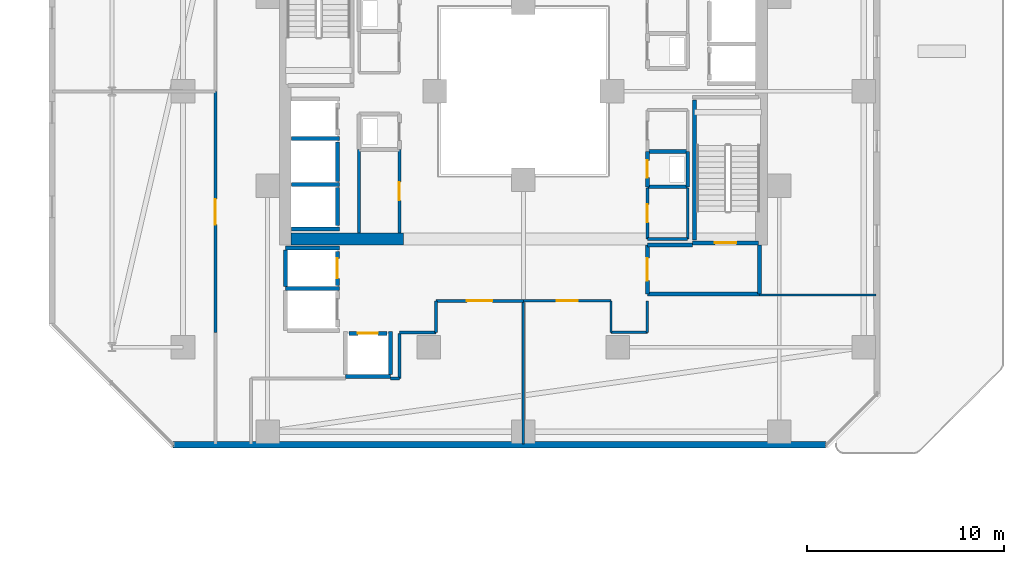
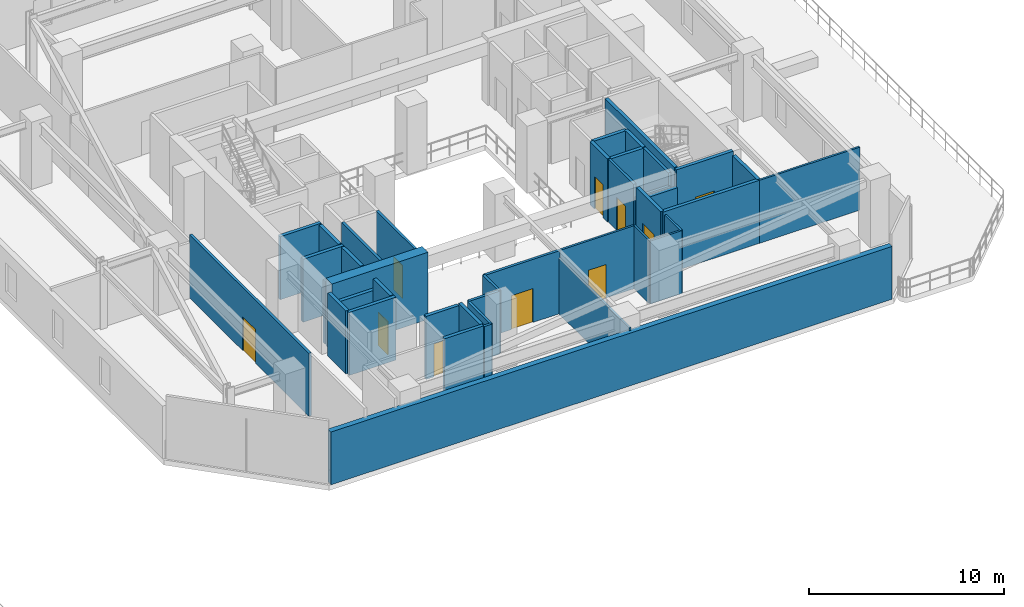
# One storey, part 20 of 30: 41 walls, 10 doors, 10 openings.
"""IFC4 building model written with IfcOpenShell, lengths in metres."""

from ifc_helpers import new_model, si_unit, direction, frame, frame_2d, origin, place, context, subcontext, project, spatial, rectangle, extrude, material, layer, layer_set, type_object, element, fill, save


model = new_model("IFC4")

# Units and contexts
model_context = context("Model", 3, precision=1e-05, world=origin(), true_north=direction((0.0, 1.0)))
body_context = subcontext(model_context, "Body", "Model", "MODEL_VIEW")
ifc_project = project(units=[si_unit("LENGTHUNIT", "METRE"), si_unit("AREAUNIT", "SQUARE_METRE"), si_unit("VOLUMEUNIT", "CUBIC_METRE"), si_unit("PLANEANGLEUNIT", "RADIAN"), si_unit("MASSUNIT", "GRAM", prefix="KILO")], contexts=[model_context])

# Site, building, storey
site_placement = place(None, origin())
site = spatial("IfcSite", under=ifc_project, at=site_placement, CompositionType="ELEMENT")
building_placement = place(site_placement, origin())
building = spatial("IfcBuilding", under=site, at=building_placement, Name="Thornwick Lancets Civic Towers", CompositionType="ELEMENT")
storey_placement = place(building_placement, frame((0.0, 0.0, 75.89990234375)))
storey = spatial("IfcBuildingStorey", under=building, at=storey_placement, Name="L19", CompositionType="ELEMENT", Elevation=75.89990234375)

# Walls
ifc_material_1 = material(Name="Concrete blockwork C40/50", Category="masonry")
ifc_layer_1 = layer(ifc_material_1, 0.199951171875, Name="Concrete blockwork C40/50")
ifc_layer_set_1 = layer_set([ifc_layer_1], Name="Concrete blockwork C40/50")
wall_type_1 = type_object("IfcWallType", Name="WALL_COMP_200", PredefinedType="STANDARD", material=ifc_layer_set_1)
wall_1_placement = place(storey_placement, frame((79.050048828125, 22.429931640625, 0.0), z_axis=(0.0, 0.0, 1.0), x_axis=(0.0, 1.0, 0.0)))
element("IfcWall", 1, at=wall_1_placement, inside=storey, type_object=wall_type_1, Name="L19 Hoistway Front Wall PL-BH2", PredefinedType="STANDARD", context=body_context, shape_type="SweptSolid", body=[
    extrude(rectangle(XDim=1.989990234375, YDim=0.199951171875, at=frame_2d((0.9951171875, 0.0))), origin(), (0.0, 0.0, 1.0), 3.940185546875),
])
wall_2_placement = place(storey_placement, frame((79.050048828125, 20.179931640625, 0.0), z_axis=(0.0, 0.0, 1.0), x_axis=(0.0, 1.0, 0.0)))
element("IfcWall", 2, at=wall_2_placement, inside=storey, type_object=wall_type_1, Name="L19 Hoistway Front Wall PL-BH3", PredefinedType="STANDARD", context=body_context, shape_type="SweptSolid", body=[
    extrude(rectangle(XDim=1.940185546875, YDim=0.199951171875, at=frame_2d((0.97021484375, 0.0))), origin(), (0.0, 0.0, 1.0), 3.940185546875),
])

# Wall, opening, door
wall_3_placement = place(storey_placement, frame((79.050048828125, 17.1298828125, 0.0), z_axis=(0.0, 0.0, 1.0), x_axis=(0.0, 1.0, 0.0)))
wall_3 = element("IfcWall", 3, at=wall_3_placement, inside=storey, type_object=wall_type_1, Name="L19 Hoistway Front Wall PL-BM1", PredefinedType="STANDARD", context=body_context, shape_type="SweptSolid", body=[
    extrude(rectangle(XDim=1.740234375, YDim=0.199951171875, at=frame_2d((0.8701171875, 0.0))), origin(), (0.0, 0.0, 1.0), 3.940185546875),
])
opening_1_placement = place(wall_3_placement, frame((0.360107421875, 0.0, 0.0)))
opening_1 = element("IfcOpeningElement", 4, at=opening_1_placement, cuts=wall_3, Name="Opening LD-PL-BM1", PredefinedType="OPENING", context=body_context, shape_type="SweptSolid", body=[
    extrude(rectangle(XDim=1.02001953125, YDim=2.06005859375, at=frame_2d((0.510009765625, 1.030029296875))), frame((0.0, 0.10986328125, 0.0), z_axis=(0.0, -1.0, 0.0), x_axis=(1.0, 0.0, 0.0)), (0.0, 0.0, 1.0), 0.219970703125),
])
ifc_material_2 = material(Name="Brushed bronze stainless steel", Category="steel")
door_type_1 = type_object("IfcDoorType", Name="DOOR_LIFT_SLIDE", OperationType="SLIDING_TO_LEFT", PredefinedType="DOOR", material=ifc_material_2)
door_1_placement = place(opening_1_placement, origin())
door_1 = element("IfcDoor", 5, at=door_1_placement, inside=storey, type_object=door_type_1, Name="L19 Sliding Lift Landing Door LD-PL-BM1", OperationType="SLIDING_TO_LEFT", OverallHeight=2.06005859375, OverallWidth=1.02001953125, PredefinedType="DOOR", context=body_context, shape_type="SweptSolid", body=[
    extrude(rectangle(XDim=1.02001953125, YDim=2.06005859375, at=frame_2d((0.510009765625, 1.030029296875))), frame((0.0, 0.02490234375, 0.0), z_axis=(0.0, -1.0, 0.0), x_axis=(1.0, 0.0, 0.0)), (0.0, 0.0, 1.0), 0.050048828125),
])
fill(opening_1, door_1)

wall_4_placement = place(storey_placement, frame((79.6298828125, 14.699951171875, 0.0), z_axis=(0.0, 0.0, 1.0), x_axis=(1.0, 0.0, 0.0)))
wall_4 = element("IfcWall", 6, at=wall_4_placement, inside=storey, type_object=wall_type_1, Name="L19 Hoistway Front Wall PL-BM3", PredefinedType="STANDARD", context=body_context, shape_type="SweptSolid", body=[
    extrude(rectangle(XDim=1.940185546875, YDim=0.199951171875, at=frame_2d((0.97021484375, 0.0))), origin(), (0.0, 0.0, 1.0), 3.940185546875),
])
opening_2_placement = place(wall_4_placement, frame((0.4599609375, 0.0, 0.0)))
opening_2 = element("IfcOpeningElement", 7, at=opening_2_placement, cuts=wall_4, Name="Opening LD-PL-BM3", PredefinedType="OPENING", context=body_context, shape_type="SweptSolid", body=[
    extrude(rectangle(XDim=1.02001953125, YDim=2.06005859375, at=frame_2d((0.510009765625, 1.030029296875))), frame((0.0, 0.10986328125, 0.0), z_axis=(0.0, -1.0, 0.0), x_axis=(1.0, 0.0, 0.0)), (0.0, 0.0, 1.0), 0.219970703125),
])
door_2_placement = place(opening_2_placement, origin())
door_2 = element("IfcDoor", 8, at=door_2_placement, inside=storey, type_object=door_type_1, Name="L19 Sliding Lift Landing Door LD-PL-BM3", OperationType="SLIDING_TO_LEFT", OverallHeight=2.06005859375, OverallWidth=1.02001953125, PredefinedType="DOOR", context=body_context, shape_type="SweptSolid", body=[
    extrude(rectangle(XDim=1.02001953125, YDim=2.06005859375, at=frame_2d((0.510009765625, 1.030029296875))), frame((0.0, 0.02490234375, 0.0), z_axis=(0.0, -1.0, 0.0), x_axis=(1.0, 0.0, 0.0)), (0.0, 0.0, 1.0), 0.050048828125),
])
fill(opening_2, door_2)

# Walls
for number, where, z_axis, x_axis, name in (
    (9, (76.7119140625, 24.60009765625, 0.0), (0.0, 0.0, 1.0), (1.0, 0.0, 0.0), "L19 Hoistway Shaft Wall FL-B2 S"),
    (10, (76.7119140625, 22.27490234375, 0.0), (0.0, 0.0, 1.0), (1.0, 0.0, 0.0), "L19 Hoistway Shaft Wall PL-BH2 S"),
    (11, (76.7119140625, 20.0, 0.0), (0.0, 0.0, 1.0), (1.0, 0.0, 0.0), "L19 Hoistway Shaft Wall PL-BH3 S"),
):
    element("IfcWall", number, at=place(storey_placement, frame(where, z_axis=z_axis, x_axis=x_axis)), inside=storey, type_object=wall_type_1, Name=name, PredefinedType="STANDARD", context=body_context, shape_type="SweptSolid", body=[
        extrude(rectangle(XDim=2.43603515625, YDim=0.199951171875, at=frame_2d((1.218017578125, 0.0))), origin(), (0.0, 0.0, 1.0), 3.940185546875),
    ])
wall_5_placement = place(storey_placement, frame((76.402099609375, 19.050048828125, 0.0), z_axis=(0.0, 0.0, 1.0), x_axis=(1.0, 0.0, 0.0)))
element("IfcWall", 12, at=wall_5_placement, inside=storey, type_object=wall_type_1, Name="L19 Hoistway Shaft Wall PL-BM1 N", PredefinedType="STANDARD", context=body_context, shape_type="SweptSolid", body=[
    extrude(rectangle(XDim=2.745849609375, YDim=0.199951171875, at=frame_2d((1.373046875, 0.0))), origin(), (0.0, 0.0, 1.0), 3.14501953125),
])
wall_6_placement = place(storey_placement, frame((76.402099609375, 16.97509765625, 0.0), z_axis=(0.0, 0.0, 1.0), x_axis=(1.0, 0.0, 0.0)))
element("IfcWall", 13, at=wall_6_placement, inside=storey, type_object=wall_type_1, Name="L19 Hoistway Shaft Wall PL-BM1 S", PredefinedType="STANDARD", context=body_context, shape_type="SweptSolid", body=[
    extrude(rectangle(XDim=2.745849609375, YDim=0.199951171875, at=frame_2d((1.373046875, 0.0))), origin(), (0.0, 0.0, 1.0), 3.940185546875),
])
wall_7_placement = place(storey_placement, frame((76.39990234375, 17.08203125, 0.0), z_axis=(0.0, 0.0, 1.0), x_axis=(0.0, 1.0, 0.0)))
element("IfcWall", 14, at=wall_7_placement, inside=storey, type_object=wall_type_1, Name="L19 Hoistway Shaft Wall PL-BM1 W", PredefinedType="STANDARD", context=body_context, shape_type="SweptSolid", body=[
    extrude(rectangle(XDim=1.85595703125, YDim=0.199951171875, at=frame_2d((0.927978515625, 0.0))), origin(), (0.0, 0.0, 1.0), 3.940185546875),
])
wall_8_placement = place(storey_placement, frame((79.451904296875, 12.5, 0.0), z_axis=(0.0, 0.0, 1.0), x_axis=(1.0, 0.0, 0.0)))
element("IfcWall", 15, at=wall_8_placement, inside=storey, type_object=wall_type_1, Name="L19 Hoistway Shaft Wall PL-BM3 S", PredefinedType="STANDARD", context=body_context, shape_type="SweptSolid", body=[
    extrude(rectangle(XDim=2.296142578125, YDim=0.199951171875, at=frame_2d((1.14794921875, 0.0))), origin(), (0.0, 0.0, 1.0), 3.940185546875),
])
wall_9_placement = place(storey_placement, frame((81.75, 12.612060546875, 0.0), z_axis=(0.0, 0.0, 1.0), x_axis=(0.0, 1.0, 0.0)))
element("IfcWall", 16, at=wall_9_placement, inside=storey, type_object=wall_type_1, Name="L19 Hoistway Shaft Wall PL-BM3 E", PredefinedType="STANDARD", context=body_context, shape_type="SweptSolid", body=[
    extrude(rectangle(XDim=2.18603515625, YDim=0.199951171875, at=frame_2d((1.093017578125, 0.0))), origin(), (0.0, 0.0, 1.0), 3.940185546875),
])
wall_10_placement = place(storey_placement, frame((94.800048828125, 16.699951171875, 0.0), z_axis=(0.0, 0.0, 1.0), x_axis=(1.0, 0.0, 0.0)))
element("IfcWall", 17, at=wall_10_placement, inside=storey, type_object=wall_type_1, Name="L19 Partition L19-B-FFLOB1 E1", PredefinedType="STANDARD", context=body_context, shape_type="SweptSolid", body=[
    extrude(rectangle(XDim=5.699951171875, YDim=0.199951171875, at=frame_2d((2.85009765625, 0.0))), origin(), (0.0, 0.0, 1.0), 3.940185546875),
])
wall_11_placement = place(storey_placement, frame((100.5, 16.699951171875, 0.0), z_axis=(0.0, 0.0, 1.0), x_axis=(0.0, 1.0, 0.0)))
element("IfcWall", 18, at=wall_11_placement, inside=storey, type_object=wall_type_1, Name="L19 Partition L19-B-FFLOB1 E2", PredefinedType="STANDARD", context=body_context, shape_type="SweptSolid", body=[
    extrude(rectangle(XDim=2.5, YDim=0.199951171875, at=frame_2d((1.25, 0.0))), origin(), (0.0, 0.0, 1.0), 3.940185546875),
])
wall_12_placement = place(storey_placement, frame((97.10009765625, 19.199951171875, 0.0), z_axis=(0.0, 0.0, 1.0), x_axis=(-1.0, 0.0, 0.0)))
element("IfcWall", 19, at=wall_12_placement, inside=storey, type_object=wall_type_1, Name="L19 Partition L19-B-FFLOB1 E3", PredefinedType="STANDARD", context=body_context, shape_type="SweptSolid", body=[
    extrude(rectangle(XDim=2.300048828125, YDim=0.199951171875, at=frame_2d((1.14990234375, 0.0))), origin(), (0.0, 0.0, 1.0), 3.14501953125),
])

# Wall, opening, door
wall_13_placement = place(storey_placement, frame((94.800048828125, 19.199951171875, 0.0), z_axis=(0.0, 0.0, 1.0), x_axis=(0.0, -1.0, 0.0)))
wall_13 = element("IfcWall", 20, at=wall_13_placement, inside=storey, type_object=wall_type_1, Name="L19 Partition L19-B-FFLOB1 E4", PredefinedType="STANDARD", context=body_context, shape_type="SweptSolid", body=[
    extrude(rectangle(XDim=2.5, YDim=0.199951171875, at=frame_2d((1.25, 0.0))), origin(), (0.0, 0.0, 1.0), 3.940185546875),
])
opening_3_placement = place(wall_13_placement, frame((0.675048828125, 0.0, 0.0)))
opening_3 = element("IfcOpeningElement", 21, at=opening_3_placement, cuts=wall_13, Name="Opening D-L19-0903", PredefinedType="OPENING", context=body_context, shape_type="SweptSolid", body=[
    extrude(rectangle(XDim=1.14990234375, YDim=2.10009765625, at=frame_2d((0.574951171875, 1.050048828125))), frame((0.0, 0.10986328125, 0.0), z_axis=(0.0, -1.0, 0.0), x_axis=(1.0, 0.0, 0.0)), (0.0, 0.0, 1.0), 0.219970703125),
])
ifc_material_3 = material(Name="Glazed fire-resisting steel", Category="steel")
door_type_2 = type_object("IfcDoorType", Name="DOOR_LOBBY_FD60", OperationType="NOTDEFINED", PredefinedType="DOOR", material=ifc_material_3)
door_3_placement = place(opening_3_placement, origin())
door_3 = element("IfcDoor", 22, at=door_3_placement, inside=storey, type_object=door_type_2, Name="L19 East Firefighting Lobby 1 Door", OperationType="SINGLE_SWING_RIGHT", OverallHeight=2.10009765625, OverallWidth=1.14990234375, PredefinedType="DOOR", context=body_context, shape_type="SweptSolid", body=[
    extrude(rectangle(XDim=1.14990234375, YDim=2.10009765625, at=frame_2d((0.574951171875, 1.050048828125))), frame((0.0, 0.02490234375, 0.0), z_axis=(0.0, -1.0, 0.0), x_axis=(1.0, 0.0, 0.0)), (0.0, 0.0, 1.0), 0.050048828125),
])
fill(opening_3, door_3)

# Walls
wall_14_placement = place(storey_placement, frame((94.800048828125, 22.14990234375, 0.0), z_axis=(0.0, 0.0, 1.0), x_axis=(1.0, 0.0, 0.0)))
element("IfcWall", 23, at=wall_14_placement, inside=storey, type_object=wall_type_1, Name="L19 Partition L19-B-RISER1 E1", PredefinedType="STANDARD", context=body_context, shape_type="SweptSolid", body=[
    extrude(rectangle(XDim=2.050048828125, YDim=0.199951171875, at=frame_2d((1.02490234375, 0.0))), origin(), (0.0, 0.0, 1.0), 3.940185546875),
])
wall_15_placement = place(storey_placement, frame((96.85009765625, 22.14990234375, 0.0), z_axis=(0.0, 0.0, 1.0), x_axis=(0.0, 1.0, 0.0)))
element("IfcWall", 24, at=wall_15_placement, inside=storey, type_object=wall_type_1, Name="L19 Partition L19-B-RISER1 E2", PredefinedType="STANDARD", context=body_context, shape_type="SweptSolid", body=[
    extrude(rectangle(XDim=1.800048828125, YDim=0.199951171875, at=frame_2d((0.89990234375, 0.0))), origin(), (0.0, 0.0, 1.0), 3.940185546875),
])
wall_16_placement = place(storey_placement, frame((96.85009765625, 23.949951171875, 0.0), z_axis=(0.0, 0.0, 1.0), x_axis=(-1.0, 0.0, 0.0)))
element("IfcWall", 25, at=wall_16_placement, inside=storey, type_object=wall_type_1, Name="L19 Partition L19-B-RISER1 E3", PredefinedType="STANDARD", context=body_context, shape_type="SweptSolid", body=[
    extrude(rectangle(XDim=2.050048828125, YDim=0.199951171875, at=frame_2d((1.02490234375, 0.0))), origin(), (0.0, 0.0, 1.0), 3.940185546875),
])

# Wall, opening, door
wall_17_placement = place(storey_placement, frame((94.800048828125, 23.949951171875, 0.0), z_axis=(0.0, 0.0, 1.0), x_axis=(0.0, -1.0, 0.0)))
wall_17 = element("IfcWall", 26, at=wall_17_placement, inside=storey, type_object=wall_type_1, Name="L19 Partition L19-B-RISER1 E4", PredefinedType="STANDARD", context=body_context, shape_type="SweptSolid", body=[
    extrude(rectangle(XDim=1.800048828125, YDim=0.199951171875, at=frame_2d((0.89990234375, 0.0))), origin(), (0.0, 0.0, 1.0), 3.940185546875),
])
opening_4_placement = place(wall_17_placement, frame((0.4599609375, 0.0, 0.0)))
opening_4 = element("IfcOpeningElement", 27, at=opening_4_placement, cuts=wall_17, Name="Opening D-L19-0906", PredefinedType="OPENING", context=body_context, shape_type="SweptSolid", body=[
    extrude(rectangle(XDim=0.8798828125, YDim=2.0400390625, at=frame_2d((0.43994140625, 1.02001953125))), frame((0.0, 0.10986328125, 0.0), z_axis=(0.0, -1.0, 0.0), x_axis=(1.0, 0.0, 0.0)), (0.0, 0.0, 1.0), 0.219970703125),
])
ifc_material_4 = material(Name="Steel riser access doorset", Category="steel")
door_type_3 = type_object("IfcDoorType", Name="DOOR_RISER_850", OperationType="NOTDEFINED", PredefinedType="DOOR", material=ifc_material_4)
door_4_placement = place(opening_4_placement, origin())
door_4 = element("IfcDoor", 28, at=door_4_placement, inside=storey, type_object=door_type_3, Name="L19 East Electrical Riser 1 Door", OperationType="SINGLE_SWING_LEFT", OverallHeight=2.0400390625, OverallWidth=0.8798828125, PredefinedType="DOOR", context=body_context, shape_type="SweptSolid", body=[
    extrude(rectangle(XDim=0.8798828125, YDim=2.0400390625, at=frame_2d((0.43994140625, 1.02001953125))), frame((0.0, 0.02490234375, 0.0), z_axis=(0.0, -1.0, 0.0), x_axis=(1.0, 0.0, 0.0)), (0.0, 0.0, 1.0), 0.050048828125),
])
fill(opening_4, door_4)

# Walls
ifc_material_5 = material(Name="Concrete C60/75", Category="concrete")
ifc_layer_2 = layer(ifc_material_5, 0.60009765625, Name="Concrete C60/75")
ifc_layer_set_2 = layer_set([ifc_layer_2], Name="Concrete C60/75")
wall_type_2 = type_object("IfcWallType", Name="WALL_CORE_600", PredefinedType="SHEAR", material=ifc_layer_set_2)
wall_18_placement = place(storey_placement, frame((76.699951171875, 19.5, 0.0), z_axis=(0.0, 0.0, 1.0), x_axis=(1.0, 0.0, 0.0)))
element("IfcWall", 29, at=wall_18_placement, inside=storey, type_object=wall_type_2, Name="L19 Split Core B2 Shear Wall S", PredefinedType="SHEAR", context=body_context, shape_type="SweptSolid", body=[
    extrude(rectangle(XDim=5.699951171875, YDim=0.60009765625, at=frame_2d((2.85009765625, 0.0))), origin(), (0.0, 0.0, 1.0), 4.2001953125),
])
ifc_material_6 = material(Name="Insulated buff terracotta rainscreen on concrete C40/50", Category="masonry")
ifc_layer_3 = layer(ifc_material_6, 0.320068359375, Name="Insulated buff terracotta rainscreen on concrete C40/50")
ifc_layer_set_3 = layer_set([ifc_layer_3], Name="Insulated buff terracotta rainscreen on concrete C40/50")
wall_type_3 = type_object("IfcWallType", Name="WALL_EXT_TERRA_320", PredefinedType="STANDARD", material=ifc_layer_set_3)
wall_19_placement = place(storey_placement, frame((70.703857421875, 9.047119140625, 0.0), z_axis=(0.0, 0.0, 1.0), x_axis=(0.99999993762, -0.000353213856, 0.0)))
element("IfcWall", 30, at=wall_19_placement, inside=storey, type_object=wall_type_3, Name="L19 Tower B Terracotta Facade Wall E0", PredefinedType="STANDARD", context=body_context, shape_type="SweptSolid", body=[
    extrude(rectangle(XDim=33.177490234375, YDim=0.320068359375, at=frame_2d((16.5888671875, 0.0))), origin(), (0.0, 0.0, 1.0), 3.300048828125),
])
ifc_material_7 = material(Name="Acoustic gypsum board partition")
ifc_layer_4 = layer(ifc_material_7, 0.1201171875, Name="Acoustic gypsum board partition")
ifc_layer_set_4 = layer_set([ifc_layer_4], Name="Acoustic gypsum board partition")
wall_type_4 = type_object("IfcWallType", Name="WALL_PART_120", PredefinedType="PARTITIONING", material=ifc_layer_set_4)
wall_20_placement = place(storey_placement, frame((92.949951171875, 16.35009765625, 0.0), z_axis=(0.0, 0.0, 1.0), x_axis=(0.0, -1.0, 0.0)))
element("IfcWall", 31, at=wall_20_placement, inside=storey, type_object=wall_type_4, Name="L19 Partition L19-B-W1 E1", PredefinedType="PARTITIONING", context=body_context, shape_type="SweptSolid", body=[
    extrude(rectangle(XDim=1.60009765625, YDim=0.1201171875, at=frame_2d((0.800048828125, 0.0))), origin(), (0.0, 0.0, 1.0), 3.940185546875),
])
wall_21_placement = place(storey_placement, frame((92.949951171875, 14.75, 0.0), z_axis=(0.0, 0.0, 1.0), x_axis=(1.0, 0.0, 0.0)))
element("IfcWall", 32, at=wall_21_placement, inside=storey, type_object=wall_type_4, Name="L19 Partition L19-B-W1 E2", PredefinedType="PARTITIONING", context=body_context, shape_type="SweptSolid", body=[
    extrude(rectangle(XDim=1.85009765625, YDim=0.1201171875, at=frame_2d((0.925048828125, 0.0))), origin(), (0.0, 0.0, 1.0), 3.940185546875),
])
wall_22_placement = place(storey_placement, frame((94.800048828125, 14.75, 0.0), z_axis=(0.0, 0.0, 1.0), x_axis=(0.0, 1.0, 0.0)))
element("IfcWall", 33, at=wall_22_placement, inside=storey, type_object=wall_type_4, Name="L19 Partition L19-B-W1 E3", PredefinedType="PARTITIONING", context=body_context, shape_type="SweptSolid", body=[
    extrude(rectangle(XDim=1.60009765625, YDim=0.1201171875, at=frame_2d((0.800048828125, 0.0))), origin(), (0.0, 0.0, 1.0), 3.940185546875),
])
wall_23_placement = place(storey_placement, frame((100.5, 16.64990234375, 0.0), z_axis=(0.0, 0.0, 1.0), x_axis=(1.0, 0.0, 0.0)))
element("IfcWall", 34, at=wall_23_placement, inside=storey, type_object=wall_type_4, Name="L19 Partition L19-B-W1 E5", PredefinedType="PARTITIONING", context=body_context, shape_type="SweptSolid", body=[
    extrude(rectangle(XDim=5.919921875, YDim=0.1201171875, at=frame_2d((2.9599609375, 0.0))), origin(), (0.0, 0.0, 1.0), 3.940185546875),
])
wall_24_placement = place(storey_placement, frame((88.5, 9.080078125, 0.0), z_axis=(0.0, 0.0, 1.0), x_axis=(0.0, 1.0, 0.0)))
element("IfcWall", 35, at=wall_24_placement, inside=storey, type_object=wall_type_4, Name="L19 Partition L19-B-W1 E9", PredefinedType="PARTITIONING", context=body_context, shape_type="SweptSolid", body=[
    extrude(rectangle(XDim=7.27001953125, YDim=0.1201171875, at=frame_2d((3.635009765625, 0.0))), origin(), (0.0, 0.0, 1.0), 3.481689453125),
])

# Wall, opening, door
wall_25_placement = place(storey_placement, frame((88.5, 16.35009765625, 0.0), z_axis=(0.0, 0.0, 1.0), x_axis=(1.0, 0.0, 0.0)))
wall_25 = element("IfcWall", 36, at=wall_25_placement, inside=storey, type_object=wall_type_4, Name="L19 Partition L19-B-W1 E10", PredefinedType="PARTITIONING", context=body_context, shape_type="SweptSolid", body=[
    extrude(rectangle(XDim=4.449951171875, YDim=0.1201171875, at=frame_2d((2.22509765625, 0.0))), origin(), (0.0, 0.0, 1.0), 3.940185546875),
])
opening_5_placement = place(wall_25_placement, frame((1.699951171875, 0.0, 0.0)))
opening_5 = element("IfcOpeningElement", 37, at=opening_5_placement, cuts=wall_25, Name="Opening D-L19-0921", PredefinedType="OPENING", context=body_context, shape_type="SweptSolid", body=[
    extrude(rectangle(XDim=1.050048828125, YDim=2.10009765625, at=frame_2d((0.52490234375, 1.050048828125))), frame((0.0, 0.070068359375, 0.0), z_axis=(0.0, -1.0, 0.0), x_axis=(1.0, 0.0, 0.0)), (0.0, 0.0, 1.0), 0.14013671875),
])
ifc_material_8 = material(Name="Glazed European oak executive doorset")
door_type_4 = type_object("IfcDoorType", Name="DOOR_OFFICE_1050", OperationType="NOTDEFINED", PredefinedType="DOOR", material=ifc_material_8)
door_5_placement = place(opening_5_placement, origin())
door_5 = element("IfcDoor", 38, at=door_5_placement, inside=storey, type_object=door_type_4, Name="L19 Tower B Ministry Directorate Office W1 Door", OperationType="SINGLE_SWING_RIGHT", OverallHeight=2.10009765625, OverallWidth=1.050048828125, PredefinedType="DOOR", context=body_context, shape_type="SweptSolid", body=[
    extrude(rectangle(XDim=1.050048828125, YDim=2.10009765625, at=frame_2d((0.52490234375, 1.050048828125))), frame((0.0, 0.02490234375, 0.0), z_axis=(0.0, -1.0, 0.0), x_axis=(1.0, 0.0, 0.0)), (0.0, 0.0, 1.0), 0.050048828125),
])
fill(opening_5, door_5)

# Walls
ifc_material_9 = material(Name="Twin-stud acoustic gypsum board")
ifc_layer_5 = layer(ifc_material_9, 0.14990234375, Name="Twin-stud acoustic gypsum board")
ifc_layer_set_5 = layer_set([ifc_layer_5], Name="Twin-stud acoustic gypsum board")
wall_type_5 = type_object("IfcWallType", Name="WALL_PART_150", PredefinedType="PARTITIONING", material=ifc_layer_set_5)
wall_26_placement = place(storey_placement, frame((94.800048828125, 19.5, 0.0), z_axis=(0.0, 0.0, 1.0), x_axis=(1.0, 0.0, 0.0)))
element("IfcWall", 39, at=wall_26_placement, inside=storey, type_object=wall_type_5, Name="L19 Partition L19-B-MWC E1", PredefinedType="PARTITIONING", context=body_context, shape_type="SweptSolid", body=[
    extrude(rectangle(XDim=2.050048828125, YDim=0.14990234375, at=frame_2d((1.02490234375, 0.0))), origin(), (0.0, 0.0, 1.0), 3.14501953125),
])
wall_27_placement = place(storey_placement, frame((96.85009765625, 19.5, 0.0), z_axis=(0.0, 0.0, 1.0), x_axis=(0.0, 1.0, 0.0)))
element("IfcWall", 40, at=wall_27_placement, inside=storey, type_object=wall_type_5, Name="L19 Partition L19-B-MWC E2", PredefinedType="PARTITIONING", context=body_context, shape_type="SweptSolid", body=[
    extrude(rectangle(XDim=2.60009765625, YDim=0.14990234375, at=frame_2d((1.300048828125, 0.0))), origin(), (0.0, 0.0, 1.0), 3.940185546875),
])

# Wall, opening, door
wall_28_placement = place(storey_placement, frame((94.800048828125, 22.10009765625, 0.0), z_axis=(0.0, 0.0, 1.0), x_axis=(0.0, -1.0, 0.0)))
wall_28 = element("IfcWall", 41, at=wall_28_placement, inside=storey, type_object=wall_type_5, Name="L19 Partition L19-B-MWC E4", PredefinedType="PARTITIONING", context=body_context, shape_type="SweptSolid", body=[
    extrude(rectangle(XDim=2.60009765625, YDim=0.14990234375, at=frame_2d((1.300048828125, 0.0))), origin(), (0.0, 0.0, 1.0), 3.940185546875),
])
opening_6_placement = place(wall_28_placement, frame((0.840087890625, 0.0, 0.0)))
opening_6 = element("IfcOpeningElement", 42, at=opening_6_placement, cuts=wall_28, Name="Opening D-L19-0909", PredefinedType="OPENING", context=body_context, shape_type="SweptSolid", body=[
    extrude(rectangle(XDim=0.919921875, YDim=2.080078125, at=frame_2d((0.4599609375, 1.0400390625))), frame((0.0, 0.0849609375, 0.0), z_axis=(0.0, -1.0, 0.0), x_axis=(1.0, 0.0, 0.0)), (0.0, 0.0, 1.0), 0.169921875),
])
ifc_material_10 = material(Name="Moisture-resistant oak doorset")
door_type_5 = type_object("IfcDoorType", Name="DOOR_WC_900", OperationType="NOTDEFINED", PredefinedType="DOOR", material=ifc_material_10)
door_6_placement = place(opening_6_placement, origin())
door_6 = element("IfcDoor", 43, at=door_6_placement, inside=storey, type_object=door_type_5, Name="L19 Tower B Male WC Door", OperationType="SINGLE_SWING_RIGHT", OverallHeight=2.080078125, OverallWidth=0.919921875, PredefinedType="DOOR", context=body_context, shape_type="SweptSolid", body=[
    extrude(rectangle(XDim=0.919921875, YDim=2.080078125, at=frame_2d((0.4599609375, 1.0400390625))), frame((0.0, 0.02490234375, 0.0), z_axis=(0.0, -1.0, 0.0), x_axis=(1.0, 0.0, 0.0)), (0.0, 0.0, 1.0), 0.050048828125),
])
fill(opening_6, door_6)

# Wall
wall_29_placement = place(storey_placement, frame((80.14990234375, 19.800048828125, 0.0), z_axis=(0.0, 0.0, 1.0), x_axis=(0.0, 1.0, 0.0)))
element("IfcWall", 44, at=wall_29_placement, inside=storey, type_object=wall_type_5, Name="L19 Partition L19-B-FWC E2", PredefinedType="PARTITIONING", context=body_context, shape_type="SweptSolid", body=[
    extrude(rectangle(XDim=4.25, YDim=0.14990234375, at=frame_2d((2.125, 0.0))), origin(), (0.0, 0.0, 1.0), 3.940185546875),
])

# Wall, opening, door
wall_30_placement = place(storey_placement, frame((82.199951171875, 24.050048828125, 0.0), z_axis=(0.0, 0.0, 1.0), x_axis=(0.0, -1.0, 0.0)))
wall_30 = element("IfcWall", 45, at=wall_30_placement, inside=storey, type_object=wall_type_5, Name="L19 Partition L19-B-FWC E4", PredefinedType="PARTITIONING", context=body_context, shape_type="SweptSolid", body=[
    extrude(rectangle(XDim=4.25, YDim=0.14990234375, at=frame_2d((2.125, 0.0))), origin(), (0.0, 0.0, 1.0), 3.940185546875),
])
opening_7_placement = place(wall_30_placement, frame((1.6650390625, 0.0, 0.0)))
opening_7 = element("IfcOpeningElement", 46, at=opening_7_placement, cuts=wall_30, Name="Opening D-L19-0913", PredefinedType="OPENING", context=body_context, shape_type="SweptSolid", body=[
    extrude(rectangle(XDim=0.919921875, YDim=2.080078125, at=frame_2d((0.4599609375, 1.0400390625))), frame((0.0, 0.0849609375, 0.0), z_axis=(0.0, -1.0, 0.0), x_axis=(1.0, 0.0, 0.0)), (0.0, 0.0, 1.0), 0.169921875),
])
door_7_placement = place(opening_7_placement, origin())
door_7 = element("IfcDoor", 47, at=door_7_placement, inside=storey, type_object=door_type_5, Name="L19 Tower B Female WC Door", OperationType="SINGLE_SWING_RIGHT", OverallHeight=2.080078125, OverallWidth=0.919921875, PredefinedType="DOOR", context=body_context, shape_type="SweptSolid", body=[
    extrude(rectangle(XDim=0.919921875, YDim=2.080078125, at=frame_2d((0.4599609375, 1.0400390625))), frame((0.0, 0.02490234375, 0.0), z_axis=(0.0, -1.0, 0.0), x_axis=(1.0, 0.0, 0.0)), (0.0, 0.0, 1.0), 0.050048828125),
])
fill(opening_7, door_7)

# Walls
wall_31_placement = place(storey_placement, frame((82.199951171875, 12.39990234375, 0.0), z_axis=(0.0, 0.0, 1.0), x_axis=(0.0, 1.0, 0.0)))
element("IfcWall", 48, at=wall_31_placement, inside=storey, type_object=wall_type_5, Name="L19 Partition L19-B-W2 E1", PredefinedType="PARTITIONING", context=body_context, shape_type="SweptSolid", body=[
    extrude(rectangle(XDim=2.300048828125, YDim=0.14990234375, at=frame_2d((1.14990234375, 0.0))), origin(), (0.0, 0.0, 1.0), 3.940185546875),
])
wall_32_placement = place(storey_placement, frame((82.199951171875, 14.75, 0.0), z_axis=(0.0, 0.0, 1.0), x_axis=(1.0, 0.0, 0.0)))
element("IfcWall", 49, at=wall_32_placement, inside=storey, type_object=wall_type_5, Name="L19 Partition L19-B-W2 E3", PredefinedType="PARTITIONING", context=body_context, shape_type="SweptSolid", body=[
    extrude(rectangle(XDim=1.85009765625, YDim=0.14990234375, at=frame_2d((0.925048828125, 0.0))), origin(), (0.0, 0.0, 1.0), 3.940185546875),
])
wall_33_placement = place(storey_placement, frame((84.050048828125, 14.75, 0.0), z_axis=(0.0, 0.0, 1.0), x_axis=(0.0, 1.0, 0.0)))
element("IfcWall", 50, at=wall_33_placement, inside=storey, type_object=wall_type_5, Name="L19 Partition L19-B-W2 E4", PredefinedType="PARTITIONING", context=body_context, shape_type="SweptSolid", body=[
    extrude(rectangle(XDim=1.60009765625, YDim=0.14990234375, at=frame_2d((0.800048828125, 0.0))), origin(), (0.0, 0.0, 1.0), 3.940185546875),
])

# Wall, opening, door
wall_34_placement = place(storey_placement, frame((84.050048828125, 16.35009765625, 0.0), z_axis=(0.0, 0.0, 1.0), x_axis=(1.0, 0.0, 0.0)))
wall_34 = element("IfcWall", 51, at=wall_34_placement, inside=storey, type_object=wall_type_5, Name="L19 Partition L19-B-W2 E5", PredefinedType="PARTITIONING", context=body_context, shape_type="SweptSolid", body=[
    extrude(rectangle(XDim=4.449951171875, YDim=0.14990234375, at=frame_2d((2.22509765625, 0.0))), origin(), (0.0, 0.0, 1.0), 3.940185546875),
])
opening_8_placement = place(wall_34_placement, frame((1.574951171875, 0.0, 0.0)))
opening_8 = element("IfcOpeningElement", 52, at=opening_8_placement, cuts=wall_34, Name="Opening D-L19-0922", PredefinedType="OPENING", context=body_context, shape_type="SweptSolid", body=[
    extrude(rectangle(XDim=1.300048828125, YDim=2.1201171875, at=frame_2d((0.64990234375, 1.06005859375))), frame((0.0, 0.0849609375, 0.0), z_axis=(0.0, -1.0, 0.0), x_axis=(1.0, 0.0, 0.0)), (0.0, 0.0, 1.0), 0.169921875),
])
ifc_material_11 = material(Name="Acoustic oak leaf-and-a-half doorset")
door_type_6 = type_object("IfcDoorType", Name="DOOR_MEET_1300", OperationType="DOUBLE_DOOR_SINGLE_SWING", PredefinedType="DOOR", material=ifc_material_11)
door_8_placement = place(opening_8_placement, origin())
door_8 = element("IfcDoor", 53, at=door_8_placement, inside=storey, type_object=door_type_6, Name="L19 Tower B Policy Briefing Room W2 Door", OperationType="DOUBLE_DOOR_SINGLE_SWING", OverallHeight=2.1201171875, OverallWidth=1.300048828125, PredefinedType="DOOR", context=body_context, shape_type="SweptSolid", body=[
    extrude(rectangle(XDim=1.300048828125, YDim=2.1201171875, at=frame_2d((0.64990234375, 1.06005859375))), frame((0.0, 0.02490234375, 0.0), z_axis=(0.0, -1.0, 0.0), x_axis=(1.0, 0.0, 0.0)), (0.0, 0.0, 1.0), 0.050048828125),
])
fill(opening_8, door_8)

# Wall
wall_35_placement = place(storey_placement, frame((81.748046875, 12.39990234375, 0.0), z_axis=(0.0, 0.0, 1.0), x_axis=(1.0, 0.0, 0.0)))
element("IfcWall", 54, at=wall_35_placement, inside=storey, type_object=wall_type_5, Name="L19 Partition L19-B-W2 E9", PredefinedType="PARTITIONING", context=body_context, shape_type="SweptSolid", body=[
    extrude(rectangle(XDim=0.451904296875, YDim=0.14990234375, at=frame_2d((0.22607421875, 0.0))), origin(), (0.0, 0.0, 1.0), 3.940185546875),
])

# Wall, opening, door
wall_36_placement = place(storey_placement, frame((72.85009765625, 27.0, 0.0), z_axis=(0.0, 0.0, 1.0), x_axis=(0.0, -1.0, 0.0)))
wall_36 = element("IfcWall", 55, at=wall_36_placement, inside=storey, type_object=wall_type_5, Name="L19 Partition L19-B-N-CONF E6", PredefinedType="PARTITIONING", context=body_context, shape_type="SweptSolid", body=[
    extrude(rectangle(XDim=12.25, YDim=0.14990234375, at=frame_2d((6.125, 0.0))), origin(), (0.0, 0.0, 1.0), 3.940185546875),
])
opening_9_placement = place(wall_36_placement, frame((5.47509765625, 0.0, 0.0)))
opening_9 = element("IfcOpeningElement", 56, at=opening_9_placement, cuts=wall_36, Name="Opening D-L19-0925", PredefinedType="OPENING", context=body_context, shape_type="SweptSolid", body=[
    extrude(rectangle(XDim=1.300048828125, YDim=2.1201171875, at=frame_2d((0.64990234375, 1.06005859375))), frame((0.0, 0.0849609375, 0.0), z_axis=(0.0, -1.0, 0.0), x_axis=(1.0, 0.0, 0.0)), (0.0, 0.0, 1.0), 0.169921875),
])
door_9_placement = place(opening_9_placement, origin())
door_9 = element("IfcDoor", 57, at=door_9_placement, inside=storey, type_object=door_type_6, Name="L19 Tower B North Conference Room Door", OperationType="DOUBLE_DOOR_SINGLE_SWING", OverallHeight=2.1201171875, OverallWidth=1.300048828125, PredefinedType="DOOR", context=body_context, shape_type="SweptSolid", body=[
    extrude(rectangle(XDim=1.300048828125, YDim=2.1201171875, at=frame_2d((0.64990234375, 1.06005859375))), frame((0.0, 0.02490234375, 0.0), z_axis=(0.0, -1.0, 0.0), x_axis=(1.0, 0.0, 0.0)), (0.0, 0.0, 1.0), 0.050048828125),
])
fill(opening_9, door_9)

ifc_material_12 = material(Name="Concrete C40/50", Category="concrete")
ifc_layer_6 = layer(ifc_material_12, 0.199951171875, Name="Concrete C40/50")
ifc_layer_set_6 = layer_set([ifc_layer_6], Name="Concrete C40/50")
wall_type_6 = type_object("IfcWallType", Name="WALL_SHAFT_200", PredefinedType="SHEAR", material=ifc_layer_set_6)
wall_37_placement = place(storey_placement, frame((100.449951171875, 19.300048828125, 0.0), z_axis=(0.0, 0.0, 1.0), x_axis=(-1.0, 0.0, 0.0)))
wall_37 = element("IfcWall", 58, at=wall_37_placement, inside=storey, type_object=wall_type_6, Name="L19 ST-B1 Fire Stair Core Wall NEAR", PredefinedType="SHEAR", context=body_context, shape_type="SweptSolid", body=[
    extrude(rectangle(XDim=3.349853515625, YDim=0.199951171875, at=frame_2d((1.6748046875, 0.0))), origin(), (0.0, 0.0, 1.0), 4.2001953125),
])
opening_10_placement = place(wall_37_placement, frame((1.125, 0.0, 0.0)))
opening_10 = element("IfcOpeningElement", 59, at=opening_10_placement, cuts=wall_37, Name="Opening D-ST-B1-L19", PredefinedType="OPENING", context=body_context, shape_type="SweptSolid", body=[
    extrude(rectangle(XDim=1.10009765625, YDim=2.10009765625, at=frame_2d((0.550048828125, 1.050048828125))), frame((0.0, 0.10986328125, 0.0), z_axis=(0.0, -1.0, 0.0), x_axis=(1.0, 0.0, 0.0)), (0.0, 0.0, 1.0), 0.219970703125),
])
ifc_material_13 = material(Name="Fire-resisting steel and hardwood", Category="steel")
door_type_7 = type_object("IfcDoorType", Name="DOOR_STAIR_FD60", OperationType="NOTDEFINED", PredefinedType="DOOR", material=ifc_material_13)
door_10_placement = place(opening_10_placement, origin())
door_10 = element("IfcDoor", 60, at=door_10_placement, inside=storey, type_object=door_type_7, Name="L19 ST-B1 Exit Stair Door", OperationType="SINGLE_SWING_RIGHT", OverallHeight=2.10009765625, OverallWidth=1.10009765625, PredefinedType="DOOR", context=body_context, shape_type="SweptSolid", body=[
    extrude(rectangle(XDim=1.10009765625, YDim=2.10009765625, at=frame_2d((0.550048828125, 1.050048828125))), frame((0.0, 0.02490234375, 0.0), z_axis=(0.0, -1.0, 0.0), x_axis=(1.0, 0.0, 0.0)), (0.0, 0.0, 1.0), 0.050048828125),
])
fill(opening_10, door_10)

# Wall
wall_38_placement = place(storey_placement, frame((97.202880859375, 26.550048828125, 0.0), z_axis=(0.0, 0.0, 1.0), x_axis=(0.0, -1.0, 0.0)))
element("IfcWall", 61, at=wall_38_placement, inside=storey, type_object=wall_type_6, Name="L19 ST-B1 Fire Stair Core Wall RIGHT", PredefinedType="SHEAR", context=body_context, shape_type="SweptSolid", body=[
    extrude(rectangle(XDim=7.10009765625, YDim=0.199951171875, at=frame_2d((3.550048828125, 0.0))), origin(), (0.0, 0.0, 1.0), 4.2001953125),
])

save(model, "model.ifc")
